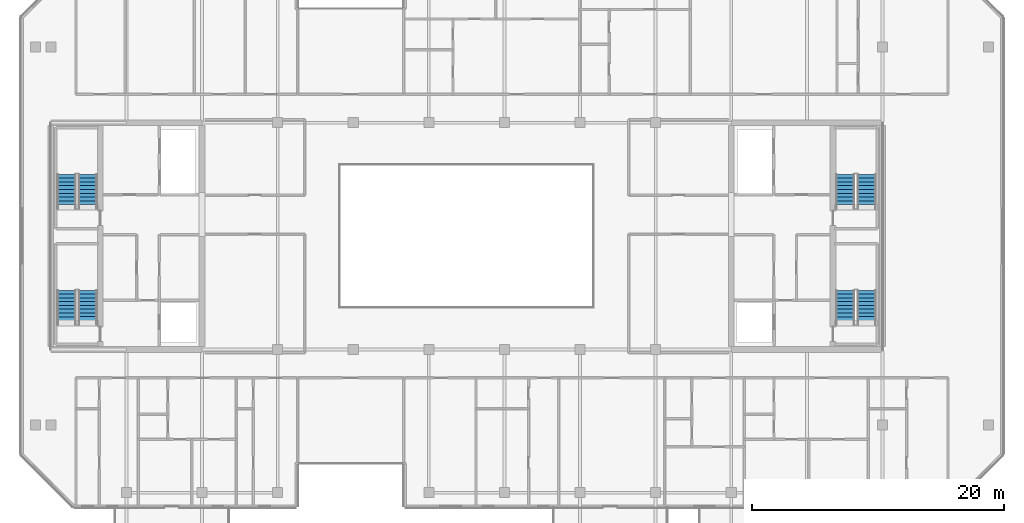
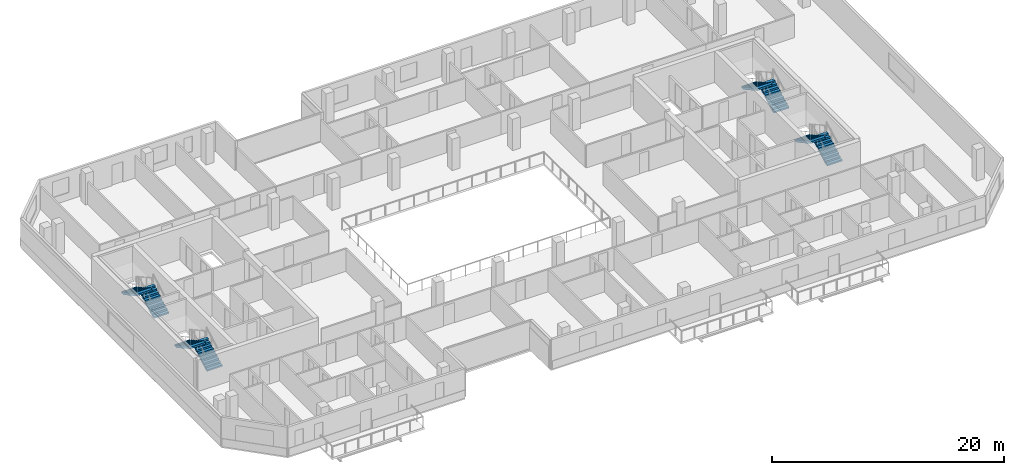
# One storey, part 12 of 16: 8 stair flights, 4 elements without a shape of their own.
"""IFC4 building model written with IfcOpenShell, lengths in metres."""

from ifc_helpers import new_model, si_unit, direction, frame, origin, place, context, subcontext, project, spatial, polyline, outline, extrude, material, type_object, element, aggregate, save


model = new_model("IFC4")

# Units and contexts
model_context = context("Model", 3, precision=1e-05, world=origin(), true_north=direction((0.0, 1.0)))
body_context = subcontext(model_context, "Body", "Model", "MODEL_VIEW")
ifc_project = project(units=[si_unit("LENGTHUNIT", "METRE"), si_unit("AREAUNIT", "SQUARE_METRE"), si_unit("VOLUMEUNIT", "CUBIC_METRE"), si_unit("PLANEANGLEUNIT", "RADIAN"), si_unit("MASSUNIT", "GRAM", prefix="KILO")], contexts=[model_context])

# Site, building, storey
site_placement = place(None, origin())
site = spatial("IfcSite", under=ifc_project, at=site_placement, CompositionType="ELEMENT")
building_placement = place(site_placement, origin())
building = spatial("IfcBuilding", under=site, at=building_placement, Name="Tanjung Sevakor Pilgrim Tower", CompositionType="ELEMENT")
storey_placement = place(building_placement, frame((0.0, 0.0, 198.330078125)))
storey = spatial("IfcBuildingStorey", under=building, at=storey_placement, Name="L55", CompositionType="ELEMENT", Elevation=198.330078125)

# Stair, stair flights
ifc_material_1 = material(Name="Concrete C40/50", Category="concrete")
stair_type = type_object("IfcStairType", Name="STAIR-ST-CR150", PredefinedType="HALF_TURN_STAIR", material=ifc_material_1)
stair_1_placement = place(storey_placement, origin())
stair_1 = element("IfcStair", 1, at=stair_1_placement, inside=storey, type_object=stair_type, Name="L55 West Core Exit Stair 1", PredefinedType="HALF_TURN_STAIR")
ifc_material_2 = material(Name="Concrete C40/50", Category="concrete")
stair_flight_type = type_object("IfcStairFlightType", Name="FLIGHT-ST-CR150", PredefinedType="STRAIGHT", material=ifc_material_2)
stair_flight_1_placement = place(storey_placement, frame((26.949951171875, 26.60009765625, 0.0), z_axis=(0.0, 0.0, 1.0), x_axis=(0.0, 1.0, 0.0)))
stair_flight_1 = element("IfcStairFlight", 2, at=stair_flight_1_placement, type_object=stair_flight_type, Name="TS-W1 flight 1", NumberOfRisers=10, NumberOfTreads=9, PredefinedType="STRAIGHT", RiserHeight=0.165, TreadLength=0.3, context=body_context, shape_type="SweptSolid", body=[
    extrude(outline(polyline([(0.0, 0.0), (0.0, 0.1650390625), (0.300048828125, 0.1650390625), (0.300048828125, 0.330078125), (0.60009765625, 0.330078125), (0.60009765625, 0.4951171875), (0.89990234375, 0.4951171875), (0.89990234375, 0.659912109375), (1.199951171875, 0.659912109375), (1.199951171875, 0.824951171875), (1.5, 0.824951171875), (1.5, 0.989990234375), (1.800048828125, 0.989990234375), (1.800048828125, 1.155029296875), (2.10009765625, 1.155029296875), (2.10009765625, 1.320068359375), (2.39990234375, 1.320068359375), (2.39990234375, 1.485107421875), (2.699951171875, 1.485107421875), (2.699951171875, 1.64990234375), (2.699951171875, 1.302490234375), (0.331787109375, 0.0), (0.0, 0.0)])), frame((0.0, 0.75, 0.0), z_axis=(0.0, -1.0, 0.0), x_axis=(1.0, 0.0, 0.0)), (0.0, 0.0, 1.0), 1.5),
])
stair_flight_2_placement = place(storey_placement, frame((25.25, 29.300048828125, 1.64990234375), z_axis=(0.0, 0.0, 1.0), x_axis=(0.0, -1.0, 0.0)))
stair_flight_2 = element("IfcStairFlight", 3, at=stair_flight_2_placement, type_object=stair_flight_type, Name="TS-W1 flight 2", NumberOfRisers=10, NumberOfTreads=9, PredefinedType="STRAIGHT", RiserHeight=0.165, TreadLength=0.3, context=body_context, shape_type="SweptSolid", body=[
    extrude(outline(polyline([(0.0, 0.0), (0.0, 0.1650390625), (0.300048828125, 0.1650390625), (0.300048828125, 0.330078125), (0.60009765625, 0.330078125), (0.60009765625, 0.4951171875), (0.89990234375, 0.4951171875), (0.89990234375, 0.659912109375), (1.199951171875, 0.659912109375), (1.199951171875, 0.824951171875), (1.5, 0.824951171875), (1.5, 0.989990234375), (1.800048828125, 0.989990234375), (1.800048828125, 1.155029296875), (2.10009765625, 1.155029296875), (2.10009765625, 1.320068359375), (2.39990234375, 1.320068359375), (2.39990234375, 1.485107421875), (2.699951171875, 1.485107421875), (2.699951171875, 1.64990234375), (2.699951171875, 1.302490234375), (0.331787109375, 0.0), (0.0, 0.0)])), frame((0.0, 0.75, 0.0), z_axis=(0.0, -1.0, 0.0), x_axis=(1.0, 0.0, 0.0)), (0.0, 0.0, 1.0), 1.5),
])
aggregate(stair_1, [stair_flight_1, stair_flight_2])

stair_2_placement = place(storey_placement, origin())
stair_2 = element("IfcStair", 4, at=stair_2_placement, inside=storey, type_object=stair_type, Name="L55 West Core Exit Stair 2", PredefinedType="HALF_TURN_STAIR")
stair_flight_3_placement = place(storey_placement, frame((26.949951171875, 35.800048828125, 0.0), z_axis=(0.0, 0.0, 1.0), x_axis=(0.0, 1.0, 0.0)))
stair_flight_3 = element("IfcStairFlight", 5, at=stair_flight_3_placement, type_object=stair_flight_type, Name="TS-W2 flight 1", NumberOfRisers=10, NumberOfTreads=9, PredefinedType="STRAIGHT", RiserHeight=0.165, TreadLength=0.3, context=body_context, shape_type="SweptSolid", body=[
    extrude(outline(polyline([(0.0, 0.0), (0.0, 0.1650390625), (0.300048828125, 0.1650390625), (0.300048828125, 0.330078125), (0.60009765625, 0.330078125), (0.60009765625, 0.4951171875), (0.89990234375, 0.4951171875), (0.89990234375, 0.659912109375), (1.199951171875, 0.659912109375), (1.199951171875, 0.824951171875), (1.5, 0.824951171875), (1.5, 0.989990234375), (1.800048828125, 0.989990234375), (1.800048828125, 1.155029296875), (2.10009765625, 1.155029296875), (2.10009765625, 1.320068359375), (2.39990234375, 1.320068359375), (2.39990234375, 1.485107421875), (2.699951171875, 1.485107421875), (2.699951171875, 1.64990234375), (2.699951171875, 1.302490234375), (0.331787109375, 0.0), (0.0, 0.0)])), frame((0.0, 0.75, 0.0), z_axis=(0.0, -1.0, 0.0), x_axis=(1.0, 0.0, 0.0)), (0.0, 0.0, 1.0), 1.5),
])
stair_flight_4_placement = place(storey_placement, frame((25.25, 38.5, 1.64990234375), z_axis=(0.0, 0.0, 1.0), x_axis=(0.0, -1.0, 0.0)))
stair_flight_4 = element("IfcStairFlight", 6, at=stair_flight_4_placement, type_object=stair_flight_type, Name="TS-W2 flight 2", NumberOfRisers=10, NumberOfTreads=9, PredefinedType="STRAIGHT", RiserHeight=0.165, TreadLength=0.3, context=body_context, shape_type="SweptSolid", body=[
    extrude(outline(polyline([(0.0, 0.0), (0.0, 0.1650390625), (0.300048828125, 0.1650390625), (0.300048828125, 0.330078125), (0.60009765625, 0.330078125), (0.60009765625, 0.4951171875), (0.89990234375, 0.4951171875), (0.89990234375, 0.659912109375), (1.199951171875, 0.659912109375), (1.199951171875, 0.824951171875), (1.5, 0.824951171875), (1.5, 0.989990234375), (1.800048828125, 0.989990234375), (1.800048828125, 1.155029296875), (2.10009765625, 1.155029296875), (2.10009765625, 1.320068359375), (2.39990234375, 1.320068359375), (2.39990234375, 1.485107421875), (2.699951171875, 1.485107421875), (2.699951171875, 1.64990234375), (2.699951171875, 1.302490234375), (0.331787109375, 0.0), (0.0, 0.0)])), frame((0.0, 0.75, 0.0), z_axis=(0.0, -1.0, 0.0), x_axis=(1.0, 0.0, 0.0)), (0.0, 0.0, 1.0), 1.5),
])
aggregate(stair_2, [stair_flight_3, stair_flight_4])

stair_3_placement = place(storey_placement, origin())
stair_3 = element("IfcStair", 7, at=stair_3_placement, inside=storey, type_object=stair_type, Name="L55 East Core Exit Stair 1", PredefinedType="HALF_TURN_STAIR")
stair_flight_5_placement = place(storey_placement, frame((88.75, 26.60009765625, 0.0), z_axis=(0.0, 0.0, 1.0), x_axis=(0.0, 1.0, 0.0)))
stair_flight_5 = element("IfcStairFlight", 8, at=stair_flight_5_placement, type_object=stair_flight_type, Name="TS-E1 flight 1", NumberOfRisers=10, NumberOfTreads=9, PredefinedType="STRAIGHT", RiserHeight=0.165, TreadLength=0.3, context=body_context, shape_type="SweptSolid", body=[
    extrude(outline(polyline([(0.0, 0.0), (0.0, 0.1650390625), (0.300048828125, 0.1650390625), (0.300048828125, 0.330078125), (0.60009765625, 0.330078125), (0.60009765625, 0.4951171875), (0.89990234375, 0.4951171875), (0.89990234375, 0.659912109375), (1.199951171875, 0.659912109375), (1.199951171875, 0.824951171875), (1.5, 0.824951171875), (1.5, 0.989990234375), (1.800048828125, 0.989990234375), (1.800048828125, 1.155029296875), (2.10009765625, 1.155029296875), (2.10009765625, 1.320068359375), (2.39990234375, 1.320068359375), (2.39990234375, 1.485107421875), (2.699951171875, 1.485107421875), (2.699951171875, 1.64990234375), (2.699951171875, 1.302490234375), (0.331787109375, 0.0), (0.0, 0.0)])), frame((0.0, 0.75, 0.0), z_axis=(0.0, -1.0, 0.0), x_axis=(1.0, 0.0, 0.0)), (0.0, 0.0, 1.0), 1.5),
])
stair_flight_6_placement = place(storey_placement, frame((87.050048828125, 29.300048828125, 1.64990234375), z_axis=(0.0, 0.0, 1.0), x_axis=(0.0, -1.0, 0.0)))
stair_flight_6 = element("IfcStairFlight", 9, at=stair_flight_6_placement, type_object=stair_flight_type, Name="TS-E1 flight 2", NumberOfRisers=10, NumberOfTreads=9, PredefinedType="STRAIGHT", RiserHeight=0.165, TreadLength=0.3, context=body_context, shape_type="SweptSolid", body=[
    extrude(outline(polyline([(0.0, 0.0), (0.0, 0.1650390625), (0.300048828125, 0.1650390625), (0.300048828125, 0.330078125), (0.60009765625, 0.330078125), (0.60009765625, 0.4951171875), (0.89990234375, 0.4951171875), (0.89990234375, 0.659912109375), (1.199951171875, 0.659912109375), (1.199951171875, 0.824951171875), (1.5, 0.824951171875), (1.5, 0.989990234375), (1.800048828125, 0.989990234375), (1.800048828125, 1.155029296875), (2.10009765625, 1.155029296875), (2.10009765625, 1.320068359375), (2.39990234375, 1.320068359375), (2.39990234375, 1.485107421875), (2.699951171875, 1.485107421875), (2.699951171875, 1.64990234375), (2.699951171875, 1.302490234375), (0.331787109375, 0.0), (0.0, 0.0)])), frame((0.0, 0.75, 0.0), z_axis=(0.0, -1.0, 0.0), x_axis=(1.0, 0.0, 0.0)), (0.0, 0.0, 1.0), 1.5),
])
aggregate(stair_3, [stair_flight_5, stair_flight_6])

stair_4_placement = place(storey_placement, origin())
stair_4 = element("IfcStair", 10, at=stair_4_placement, inside=storey, type_object=stair_type, Name="L55 East Core Exit Stair 2", PredefinedType="HALF_TURN_STAIR")
stair_flight_7_placement = place(storey_placement, frame((88.75, 35.800048828125, 0.0), z_axis=(0.0, 0.0, 1.0), x_axis=(0.0, 1.0, 0.0)))
stair_flight_7 = element("IfcStairFlight", 11, at=stair_flight_7_placement, type_object=stair_flight_type, Name="TS-E2 flight 1", NumberOfRisers=10, NumberOfTreads=9, PredefinedType="STRAIGHT", RiserHeight=0.165, TreadLength=0.3, context=body_context, shape_type="SweptSolid", body=[
    extrude(outline(polyline([(0.0, 0.0), (0.0, 0.1650390625), (0.300048828125, 0.1650390625), (0.300048828125, 0.330078125), (0.60009765625, 0.330078125), (0.60009765625, 0.4951171875), (0.89990234375, 0.4951171875), (0.89990234375, 0.659912109375), (1.199951171875, 0.659912109375), (1.199951171875, 0.824951171875), (1.5, 0.824951171875), (1.5, 0.989990234375), (1.800048828125, 0.989990234375), (1.800048828125, 1.155029296875), (2.10009765625, 1.155029296875), (2.10009765625, 1.320068359375), (2.39990234375, 1.320068359375), (2.39990234375, 1.485107421875), (2.699951171875, 1.485107421875), (2.699951171875, 1.64990234375), (2.699951171875, 1.302490234375), (0.331787109375, 0.0), (0.0, 0.0)])), frame((0.0, 0.75, 0.0), z_axis=(0.0, -1.0, 0.0), x_axis=(1.0, 0.0, 0.0)), (0.0, 0.0, 1.0), 1.5),
])
stair_flight_8_placement = place(storey_placement, frame((87.050048828125, 38.5, 1.64990234375), z_axis=(0.0, 0.0, 1.0), x_axis=(0.0, -1.0, 0.0)))
stair_flight_8 = element("IfcStairFlight", 12, at=stair_flight_8_placement, type_object=stair_flight_type, Name="TS-E2 flight 2", NumberOfRisers=10, NumberOfTreads=9, PredefinedType="STRAIGHT", RiserHeight=0.165, TreadLength=0.3, context=body_context, shape_type="SweptSolid", body=[
    extrude(outline(polyline([(0.0, 0.0), (0.0, 0.1650390625), (0.300048828125, 0.1650390625), (0.300048828125, 0.330078125), (0.60009765625, 0.330078125), (0.60009765625, 0.4951171875), (0.89990234375, 0.4951171875), (0.89990234375, 0.659912109375), (1.199951171875, 0.659912109375), (1.199951171875, 0.824951171875), (1.5, 0.824951171875), (1.5, 0.989990234375), (1.800048828125, 0.989990234375), (1.800048828125, 1.155029296875), (2.10009765625, 1.155029296875), (2.10009765625, 1.320068359375), (2.39990234375, 1.320068359375), (2.39990234375, 1.485107421875), (2.699951171875, 1.485107421875), (2.699951171875, 1.64990234375), (2.699951171875, 1.302490234375), (0.331787109375, 0.0), (0.0, 0.0)])), frame((0.0, 0.75, 0.0), z_axis=(0.0, -1.0, 0.0), x_axis=(1.0, 0.0, 0.0)), (0.0, 0.0, 1.0), 1.5),
])
aggregate(stair_4, [stair_flight_7, stair_flight_8])

save(model, "model.ifc")
